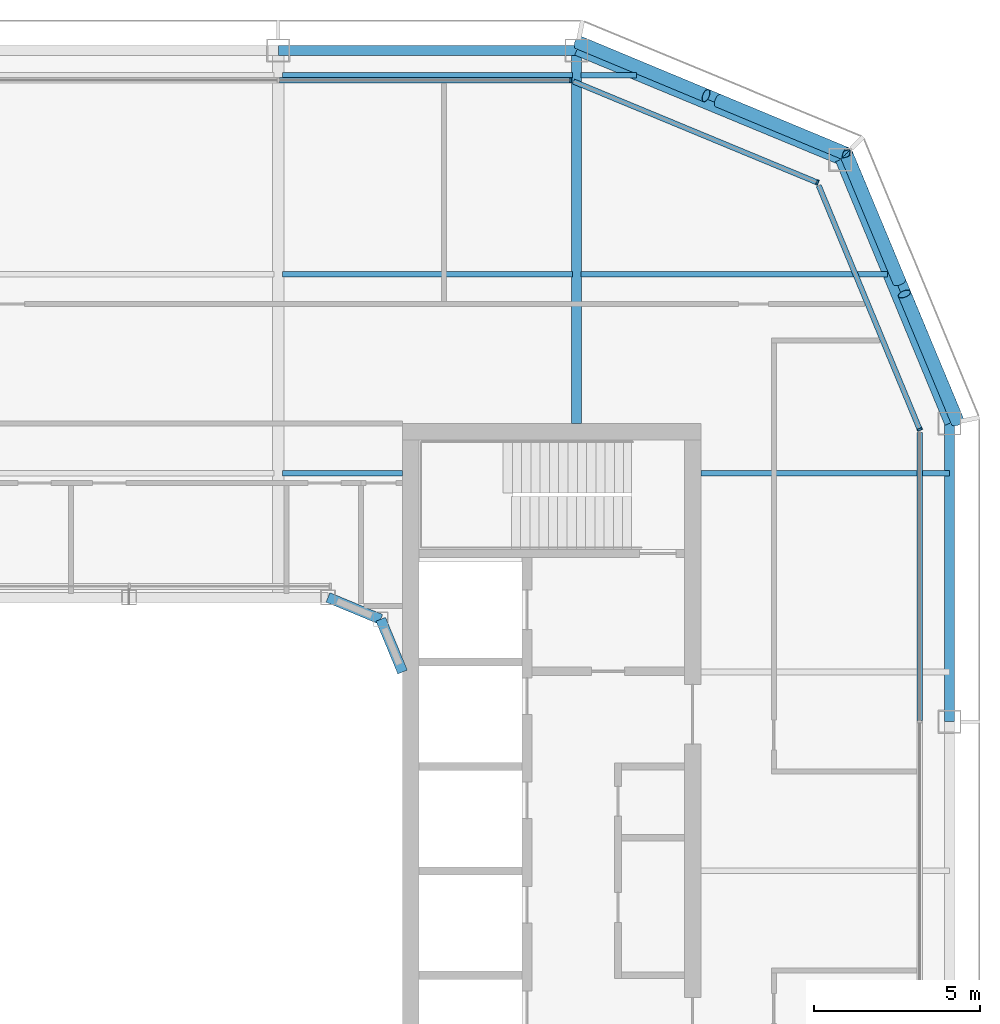
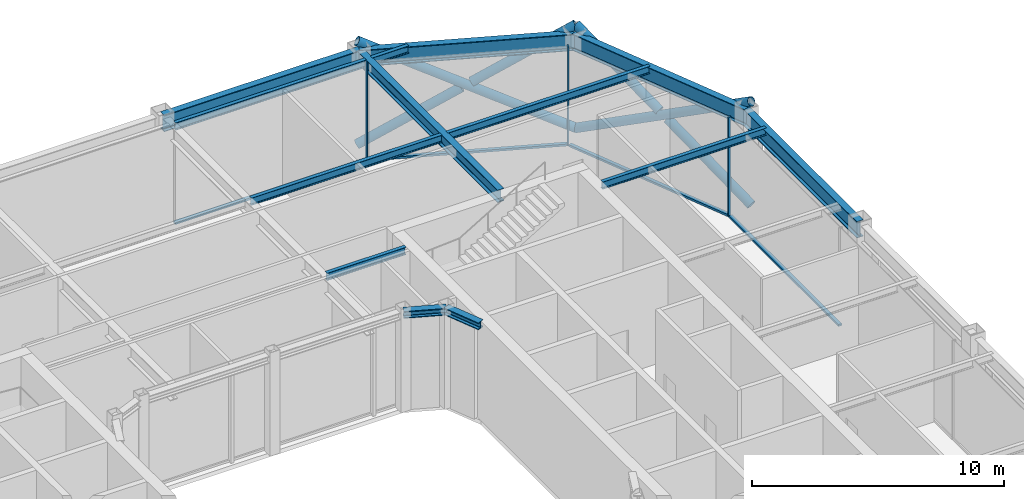
# One storey, part 9 of 17: 13 beams, 13 members, 4 elements without a shape of their own.
"""IFC4 building model written with IfcOpenShell, lengths in metres."""

from ifc_helpers import new_model, si_unit, direction, frame, origin, origin_2d, place, context, subcontext, project, spatial, rectangle, hollow_circle, i_section, extrude, material, layer, layer_set, material_profile, profile_set, type_object, element, aggregate, save


model = new_model("IFC4")

# Units and contexts
model_context = context("Model", 3, precision=1e-05, world=origin(), true_north=direction((0.0, 1.0)))
body_context = subcontext(model_context, "Body", "Model", "MODEL_VIEW")
ifc_project = project(units=[si_unit("LENGTHUNIT", "METRE"), si_unit("AREAUNIT", "SQUARE_METRE"), si_unit("VOLUMEUNIT", "CUBIC_METRE"), si_unit("PLANEANGLEUNIT", "RADIAN"), si_unit("MASSUNIT", "GRAM", prefix="KILO")], contexts=[model_context])

# Site, building, storey
site_placement = place(None, origin())
site = spatial("IfcSite", under=ifc_project, at=site_placement, CompositionType="ELEMENT")
building_placement = place(site_placement, origin())
building = spatial("IfcBuilding", under=site, at=building_placement, Name="Siwar Civic Tower", CompositionType="ELEMENT")
storey_placement = place(building_placement, frame((0.0, 0.0, 348.199951171875)))
storey = spatial("IfcBuildingStorey", under=building, at=storey_placement, Name="L75", CompositionType="ELEMENT", Elevation=348.199951171875)

# Curtain wall, member
ifc_material_1 = material(Name="Aluminium clad insulated panel", Category="aluminium")
ifc_layer_1 = layer(ifc_material_1, 0.159912109375)
ifc_layer_set_1 = layer_set([ifc_layer_1], Name="Aluminium clad insulated panel")
curtain_wall_type_1 = type_object("IfcCurtainWallType", Name="ENV-CW-DX", PredefinedType="NOTDEFINED", material=ifc_layer_set_1)
curtain_wall_1_placement = place(storey_placement, origin())
curtain_wall_1 = element("IfcCurtainWall", 1, at=curtain_wall_1_placement, inside=storey, type_object=curtain_wall_type_1, Name="Curtain wall D NE1", PredefinedType="NOTDEFINED")
ifc_material_2 = material(Name="Aluminium 6063-T6", Category="aluminium")
ifc_material_profile_1 = material_profile(ifc_material_2, rectangle(XDim=0.159912109375, YDim=0.06005859375, at=origin_2d()), Name="AL 160x60")
ifc_profile_set_1 = profile_set([ifc_material_profile_1], Name="Aluminium 6063-T6")
member_type_1 = type_object("IfcMemberType", Name="ENV-MULLION-D", PredefinedType="MULLION", material=ifc_profile_set_1)
member_1_placement = place(storey_placement, frame((23.85009765625, 13.321044921875, 0.0), z_axis=(0.0, 0.0, 1.0), x_axis=(-0.923879532511, -0.382683432365, 0.0)))
member_1 = element("IfcMember", 2, at=member_1_placement, type_object=member_type_1, Name="Mullion D NE1 1", PredefinedType="MULLION", context=body_context, shape_type="SweptSolid", body=[
    extrude(rectangle(XDim=0.159912109375, YDim=0.06005859375, at=origin_2d()), origin(), (0.0, 0.0, 1.0), 4.800048828125),
])

curtain_wall_2_placement = place(storey_placement, origin())
curtain_wall_2 = element("IfcCurtainWall", 3, at=curtain_wall_2_placement, inside=storey, type_object=curtain_wall_type_1, Name="Curtain wall D NE2", PredefinedType="NOTDEFINED")
member_2_placement = place(storey_placement, frame((20.76611328125, 20.76611328125, 0.0), z_axis=(0.0, 0.0, 1.0), x_axis=(-0.382683432365, -0.923879532511, 0.0)))
member_2 = element("IfcMember", 4, at=member_2_placement, type_object=member_type_1, Name="Mullion D NE2 1", PredefinedType="MULLION", context=body_context, shape_type="SweptSolid", body=[
    extrude(rectangle(XDim=0.159912109375, YDim=0.06005859375, at=origin_2d()), origin(), (0.0, 0.0, 1.0), 4.800048828125),
])

ifc_material_3 = material(Name="Aluminium and glass", Category="aluminium")
ifc_layer_2 = layer(ifc_material_3, 0.159912109375)
ifc_layer_set_2 = layer_set([ifc_layer_2], Name="Aluminium and glass")
curtain_wall_type_2 = type_object("IfcCurtainWallType", Name="ENV-CW-D", PredefinedType="NOTDEFINED", material=ifc_layer_set_2)
curtain_wall_3_placement = place(storey_placement, origin())
curtain_wall_3 = element("IfcCurtainWall", 5, at=curtain_wall_3_placement, inside=storey, type_object=curtain_wall_type_2, Name="Curtain wall D N", PredefinedType="NOTDEFINED")
member_3_placement = place(storey_placement, frame((13.321044921875, 23.85009765625, 0.0), z_axis=(0.0, 0.0, 1.0), x_axis=(0.0, -1.0, 0.0)))
member_3 = element("IfcMember", 6, at=member_3_placement, type_object=member_type_1, Name="Mullion D N 1", PredefinedType="MULLION", context=body_context, shape_type="SweptSolid", body=[
    extrude(rectangle(XDim=0.159912109375, YDim=0.06005859375, at=origin_2d()), origin(), (0.0, 0.0, 1.0), 4.800048828125),
])

curtain_wall_4_placement = place(storey_placement, origin())
curtain_wall_4 = element("IfcCurtainWall", 7, at=curtain_wall_4_placement, inside=storey, type_object=curtain_wall_type_2, Name="Curtain wall D E", PredefinedType="NOTDEFINED")
ifc_material_4 = material(Name="Aluminium 6063-T6", Category="aluminium")
ifc_material_profile_2 = material_profile(ifc_material_4, rectangle(XDim=0.159912109375, YDim=0.10009765625, at=origin_2d()), Name="AL 160x100")
ifc_profile_set_2 = profile_set([ifc_material_profile_2], Name="Aluminium 6063-T6")
member_type_2 = type_object("IfcMemberType", Name="ENV-TRANSOM-D", PredefinedType="USERDEFINED", material=ifc_profile_set_2)
member_4_placement = place(storey_placement, frame((23.85009765625, 4.530029296875, 0.050048828125), z_axis=(0.0, 1.0, 0.0), x_axis=(-1.0, 0.0, 0.0)))
member_4 = element("IfcMember", 8, at=member_4_placement, type_object=member_type_2, Name="Transom D E 3", ObjectType="TRANSOM", PredefinedType="USERDEFINED", context=body_context, shape_type="SweptSolid", body=[
    extrude(rectangle(XDim=0.159912109375, YDim=0.10009765625, at=origin_2d()), origin(), (0.0, 0.0, 1.0), 8.693115234375),
])
aggregate(curtain_wall_4, [member_4])

# Member
member_5_placement = place(storey_placement, frame((23.838623046875, 13.3486328125, 0.050048828125), z_axis=(-0.382699790424, 0.923872756612, 0.0), x_axis=(-0.923872756612, -0.382699790424, 0.0)))
member_5 = element("IfcMember", 9, at=member_5_placement, type_object=member_type_2, Name="Transom D NE1 1", ObjectType="TRANSOM", PredefinedType="USERDEFINED", context=body_context, shape_type="SweptSolid", body=[
    extrude(rectangle(XDim=0.159912109375, YDim=0.10009765625, at=origin_2d()), origin(), (0.0, 0.0, 1.0), 7.930908203125),
])

aggregate(curtain_wall_1, [member_1, member_5])

member_6_placement = place(storey_placement, frame((20.738525390625, 20.777587890625, 0.050048828125), z_axis=(-0.923883640343, 0.382673515031, 0.0), x_axis=(-0.382673515031, -0.923883640343, 0.0)))
member_6 = element("IfcMember", 10, at=member_6_placement, type_object=member_type_2, Name="Transom D NE2 1", ObjectType="TRANSOM", PredefinedType="USERDEFINED", context=body_context, shape_type="SweptSolid", body=[
    extrude(rectangle(XDim=0.159912109375, YDim=0.10009765625, at=origin_2d()), origin(), (0.0, 0.0, 1.0), 7.930908203125),
])

aggregate(curtain_wall_2, [member_2, member_6])

member_7_placement = place(storey_placement, frame((13.291015625, 23.85009765625, 0.050048828125), z_axis=(-1.0, 0.0, 0.0), x_axis=(0.0, -1.0, 0.0)))
member_7 = element("IfcMember", 11, at=member_7_placement, type_object=member_type_2, Name="Transom D N 1", ObjectType="TRANSOM", PredefinedType="USERDEFINED", context=body_context, shape_type="SweptSolid", body=[
    extrude(rectangle(XDim=0.159912109375, YDim=0.10009765625, at=origin_2d()), origin(), (0.0, 0.0, 1.0), 8.760986328125),
])

aggregate(curtain_wall_3, [member_3, member_7])

# Members
ifc_material_5 = material(Name="Steel S355", Category="steel")
ifc_material_profile_3 = material_profile(ifc_material_5, hollow_circle(Radius=0.203125, WallThickness=0.01611328125, at=origin_2d()), Name="CHS406.4x16")
ifc_profile_set_3 = profile_set([ifc_material_profile_3], Name="Steel S355")
member_type_3 = type_object("IfcMemberType", Name="STR-BR-CHS406.4x16", PredefinedType="BRACE", material=ifc_profile_set_3)
member_8_placement = place(storey_placement, frame((21.6318359375, 21.6318359375, 0.0), z_axis=(-0.801726811989, 0.333592743807, 0.495933463499), x_axis=(-0.384163874976, -0.923264922524, 0.0)))
element("IfcMember", 12, at=member_8_placement, inside=storey, type_object=member_type_3, Name="L75/brc/DNE1-14-0-1", PredefinedType="BRACE", context=body_context, shape_type="SweptSolid", body=[
    extrude(hollow_circle(Radius=0.203125, WallThickness=0.01611328125, at=origin_2d()), origin(), (0.0, 0.0, 1.0), 10.08203125),
])
for number, where, z_axis, x_axis, name in (
    (13, (13.548828125, 24.9951171875, 0.0), (0.80170559549, -0.333625253508, 0.495945892595), (0.384204453742, 0.923248036946, 0.0), "L75/brc/DNE1-14-0-2"),
    (14, (17.775390625, 23.236328125, 2.614501953125), (0.801737302644, -0.333566570839, 0.495934108897), (0.384133897361, 0.923277395422, 0.0), "L75/brc/DNE1-14-0-3"),
):
    element("IfcMember", number, at=place(storey_placement, frame(where, z_axis=z_axis, x_axis=x_axis)), inside=storey, type_object=member_type_3, Name=name, PredefinedType="BRACE", context=body_context, shape_type="SweptSolid", body=[
        extrude(hollow_circle(Radius=0.203125, WallThickness=0.01611328125, at=origin_2d()), origin(), (0.0, 0.0, 1.0), 4.81005859375),
    ])
member_9_placement = place(storey_placement, frame((21.6318359375, 21.6318359375, 0.0), z_axis=(0.333592743807, -0.801726811989, 0.495933463499), x_axis=(0.923264922524, 0.384163874976, 0.0)))
element("IfcMember", 15, at=member_9_placement, inside=storey, type_object=member_type_3, Name="L75/brc/DNE1-14-0-0", PredefinedType="BRACE", context=body_context, shape_type="SweptSolid", body=[
    extrude(hollow_circle(Radius=0.203125, WallThickness=0.01611328125, at=origin_2d()), origin(), (0.0, 0.0, 1.0), 10.08203125),
])
for number, where, z_axis, x_axis, name in (
    (16, (24.9951171875, 13.548828125, 0.0), (-0.333625253508, 0.80170559549, 0.495945892595), (-0.923248036946, -0.384204453742, 0.0), "L75/brc/DNE1-14-0-4"),
    (17, (23.236328125, 17.775390625, 2.614501953125), (-0.333566570839, 0.801737302644, 0.495934108897), (-0.923277395422, -0.384133897361, 0.0), "L75/brc/DNE1-14-0-5"),
):
    element("IfcMember", number, at=place(storey_placement, frame(where, z_axis=z_axis, x_axis=x_axis)), inside=storey, type_object=member_type_3, Name=name, PredefinedType="BRACE", context=body_context, shape_type="SweptSolid", body=[
        extrude(hollow_circle(Radius=0.203125, WallThickness=0.01611328125, at=origin_2d()), origin(), (0.0, 0.0, 1.0), 4.81005859375),
    ])

# Beams
ifc_material_6 = material(Name="Steel S355", Category="steel")
ifc_material_profile_4 = material_profile(ifc_material_6, i_section(OverallWidth=0.169921875, OverallDepth=0.360107421875, WebThickness=0.008056640625, FlangeThickness=0.0126953125, FilletRadius=0.01806640625, at=origin_2d()), Name="IPE360")
ifc_profile_set_4 = profile_set([ifc_material_profile_4], Name="Steel S355")
beam_type_1 = type_object("IfcBeamType", Name="STR-FB-IPE360", PredefinedType="JOIST", material=ifc_profile_set_4)
beam_1_placement = place(storey_placement, frame((4.6298828125, 12.0, 4.6201171875), z_axis=(1.0, 0.0, 0.0), x_axis=(0.0, 1.0, 0.0)))
element("IfcBeam", 18, at=beam_1_placement, inside=storey, type_object=beam_type_1, Name="L75/bm/F025", PredefinedType="JOIST", context=body_context, shape_type="SweptSolid", body=[
    extrude(i_section(OverallWidth=0.169921875, OverallDepth=0.360107421875, WebThickness=0.008056640625, FlangeThickness=0.0126953125, FilletRadius=0.01806640625, at=origin_2d()), origin(), (0.0, 0.0, 1.0), 3.6201171875),
])
beam_2_placement = place(storey_placement, frame((17.25, 12.0, 4.6201171875), z_axis=(1.0, 0.0, 0.0), x_axis=(0.0, 1.0, 0.0)))
element("IfcBeam", 19, at=beam_2_placement, inside=storey, type_object=beam_type_1, Name="L75/bm/F026", PredefinedType="JOIST", context=body_context, shape_type="SweptSolid", body=[
    extrude(i_section(OverallWidth=0.169921875, OverallDepth=0.360107421875, WebThickness=0.008056640625, FlangeThickness=0.0126953125, FilletRadius=0.01806640625, at=origin_2d()), origin(), (0.0, 0.0, 1.0), 7.5),
])
beam_3_placement = place(storey_placement, frame((4.6298828125, 18.0, 4.6201171875), z_axis=(1.0, 0.0, 0.0), x_axis=(0.0, 1.0, 0.0)))
element("IfcBeam", 20, at=beam_3_placement, inside=storey, type_object=beam_type_1, Name="L75/bm/F030", PredefinedType="JOIST", context=body_context, shape_type="SweptSolid", body=[
    extrude(i_section(OverallWidth=0.169921875, OverallDepth=0.360107421875, WebThickness=0.008056640625, FlangeThickness=0.0126953125, FilletRadius=0.01806640625, at=origin_2d()), origin(), (0.0, 0.0, 1.0), 8.740234375),
])
beam_4_placement = place(storey_placement, frame((13.6298828125, 18.0, 4.6201171875), z_axis=(1.0, 0.0, 0.0), x_axis=(0.0, 1.0, 0.0)))
element("IfcBeam", 21, at=beam_4_placement, inside=storey, type_object=beam_type_1, Name="L75/bm/F031", PredefinedType="JOIST", context=body_context, shape_type="SweptSolid", body=[
    extrude(i_section(OverallWidth=0.169921875, OverallDepth=0.360107421875, WebThickness=0.008056640625, FlangeThickness=0.0126953125, FilletRadius=0.01806640625, at=origin_2d()), origin(), (0.0, 0.0, 1.0), 9.256103515625),
])
beam_5_placement = place(storey_placement, frame((4.6298828125, 24.0, 4.6201171875), z_axis=(1.0, 0.0, 0.0), x_axis=(0.0, 1.0, 0.0)))
element("IfcBeam", 22, at=beam_5_placement, inside=storey, type_object=beam_type_1, Name="L75/bm/F035", PredefinedType="JOIST", context=body_context, shape_type="SweptSolid", body=[
    extrude(i_section(OverallWidth=0.169921875, OverallDepth=0.360107421875, WebThickness=0.008056640625, FlangeThickness=0.0126953125, FilletRadius=0.01806640625, at=origin_2d()), origin(), (0.0, 0.0, 1.0), 8.740234375),
])
beam_6_placement = place(storey_placement, frame((13.6298828125, 24.0, 4.6201171875), z_axis=(1.0, 0.0, 0.0), x_axis=(0.0, 1.0, 0.0)))
element("IfcBeam", 23, at=beam_6_placement, inside=storey, type_object=beam_type_1, Name="L75/bm/F036", PredefinedType="JOIST", context=body_context, shape_type="SweptSolid", body=[
    extrude(i_section(OverallWidth=0.169921875, OverallDepth=0.360107421875, WebThickness=0.008056640625, FlangeThickness=0.0126953125, FilletRadius=0.01806640625, at=origin_2d()), origin(), (0.0, 0.0, 1.0), 1.6806640625),
])
ifc_material_7 = material(Name="Steel S355", Category="steel")
ifc_material_profile_5 = material_profile(ifc_material_7, i_section(OverallWidth=0.300048828125, OverallDepth=0.60009765625, WebThickness=0.015380859375, FlangeThickness=0.030029296875, FilletRadius=0.027099609375, at=origin_2d()), Name="HEB600")
ifc_profile_set_5 = profile_set([ifc_material_profile_5], Name="Steel S355")
beam_type_2 = type_object("IfcBeamType", Name="STR-PG-HEB600", PredefinedType="BEAM", material=ifc_profile_set_5)
beam_7_placement = place(storey_placement, frame((13.5, 13.5, 4.5), z_axis=(0.0, 1.0, 0.0), x_axis=(-1.0, 0.0, 0.0)))
element("IfcBeam", 24, at=beam_7_placement, inside=storey, type_object=beam_type_2, Name="L75/bm/G08", PredefinedType="BEAM", context=body_context, shape_type="SweptSolid", body=[
    extrude(i_section(OverallWidth=0.300048828125, OverallDepth=0.60009765625, WebThickness=0.015380859375, FlangeThickness=0.030029296875, FilletRadius=0.027099609375, at=origin_2d()), origin(), (0.0, 0.0, 1.0), 11.25),
])
ifc_material_8 = material(Name="Steel S355", Category="steel")
ifc_material_profile_6 = material_profile(ifc_material_8, i_section(OverallWidth=0.31005859375, OverallDepth=0.340087890625, WebThickness=0.02099609375, FlangeThickness=0.0390625, FilletRadius=0.027099609375, at=origin_2d()), Name="HEM300")
ifc_profile_set_6 = profile_set([ifc_material_profile_6], Name="Steel S355")
beam_type_3 = type_object("IfcBeamType", Name="STR-RB-HEM300", PredefinedType="BEAM", material=ifc_profile_set_6)
for number, where, z_axis, x_axis, name in (
    (25, (6.0, 8.25, 4.630126953125), (0.923901072997, -0.382631424892, 0.0), (0.382631424892, 0.923901072997, 0.0), "L75/bm/RN3"),
    (26, (7.591064453125, 7.591064453125, 4.630126953125), (0.382631424892, -0.923901072997, 0.0), (0.923901072997, 0.382631424892, 0.0), "L75/bm/RNEE"),
):
    element("IfcBeam", number, at=place(storey_placement, frame(where, z_axis=z_axis, x_axis=x_axis)), inside=storey, type_object=beam_type_3, Name=name, PredefinedType="BEAM", context=body_context, shape_type="SweptSolid", body=[
        extrude(i_section(OverallWidth=0.31005859375, OverallDepth=0.340087890625, WebThickness=0.02099609375, FlangeThickness=0.0390625, FilletRadius=0.027099609375, at=origin_2d()), origin(), (0.0, 0.0, 1.0), 1.72216796875),
    ])
ifc_material_9 = material(Name="Steel S355", Category="steel")
ifc_material_profile_7 = material_profile(ifc_material_9, i_section(OverallWidth=0.300048828125, OverallDepth=0.800048828125, WebThickness=0.017578125, FlangeThickness=0.032958984375, FilletRadius=0.030029296875, at=origin_2d()), Name="HEB800")
ifc_profile_set_7 = profile_set([ifc_material_profile_7], Name="Steel S355")
beam_type_4 = type_object("IfcBeamType", Name="STR-SB-HEB800", PredefinedType="BEAM", material=ifc_profile_set_7)
beam_8_placement = place(storey_placement, frame((24.75, 4.5, 4.400146484375), z_axis=(0.0, 1.0, 0.0), x_axis=(-1.0, 0.0, 0.0)))
element("IfcBeam", 27, at=beam_8_placement, inside=storey, type_object=beam_type_4, Name="L75/bm/SE-2", PredefinedType="BEAM", context=body_context, shape_type="SweptSolid", body=[
    extrude(i_section(OverallWidth=0.300048828125, OverallDepth=0.800048828125, WebThickness=0.017578125, FlangeThickness=0.032958984375, FilletRadius=0.030029296875, at=origin_2d()), origin(), (0.0, 0.0, 1.0), 9.0),
])
for number, where, z_axis, x_axis, name in (
    (28, (24.75, 13.5, 4.400146484375), (-0.382699877515, 0.923872720536, 0.0), (-0.923872720536, -0.382699877515, 0.0), "L75/bm/SNE1-0"),
    (29, (21.454833984375, 21.454833984375, 4.400146484375), (-0.923872720536, 0.382699877515, 0.0), (-0.382699877515, -0.923872720536, 0.0), "L75/bm/SNE2-0"),
):
    element("IfcBeam", number, at=place(storey_placement, frame(where, z_axis=z_axis, x_axis=x_axis)), inside=storey, type_object=beam_type_4, Name=name, PredefinedType="BEAM", context=body_context, shape_type="SweptSolid", body=[
        extrude(i_section(OverallWidth=0.300048828125, OverallDepth=0.800048828125, WebThickness=0.017578125, FlangeThickness=0.032958984375, FilletRadius=0.030029296875, at=origin_2d()), origin(), (0.0, 0.0, 1.0), 8.6103515625),
    ])
beam_9_placement = place(storey_placement, frame((13.5, 24.75, 4.400146484375), z_axis=(-1.0, 0.0, 0.0), x_axis=(0.0, -1.0, 0.0)))
element("IfcBeam", 30, at=beam_9_placement, inside=storey, type_object=beam_type_4, Name="L75/bm/SN-0", PredefinedType="BEAM", context=body_context, shape_type="SweptSolid", body=[
    extrude(i_section(OverallWidth=0.300048828125, OverallDepth=0.800048828125, WebThickness=0.017578125, FlangeThickness=0.032958984375, FilletRadius=0.030029296875, at=origin_2d()), origin(), (0.0, 0.0, 1.0), 9.0),
])

save(model, "model.ifc")
